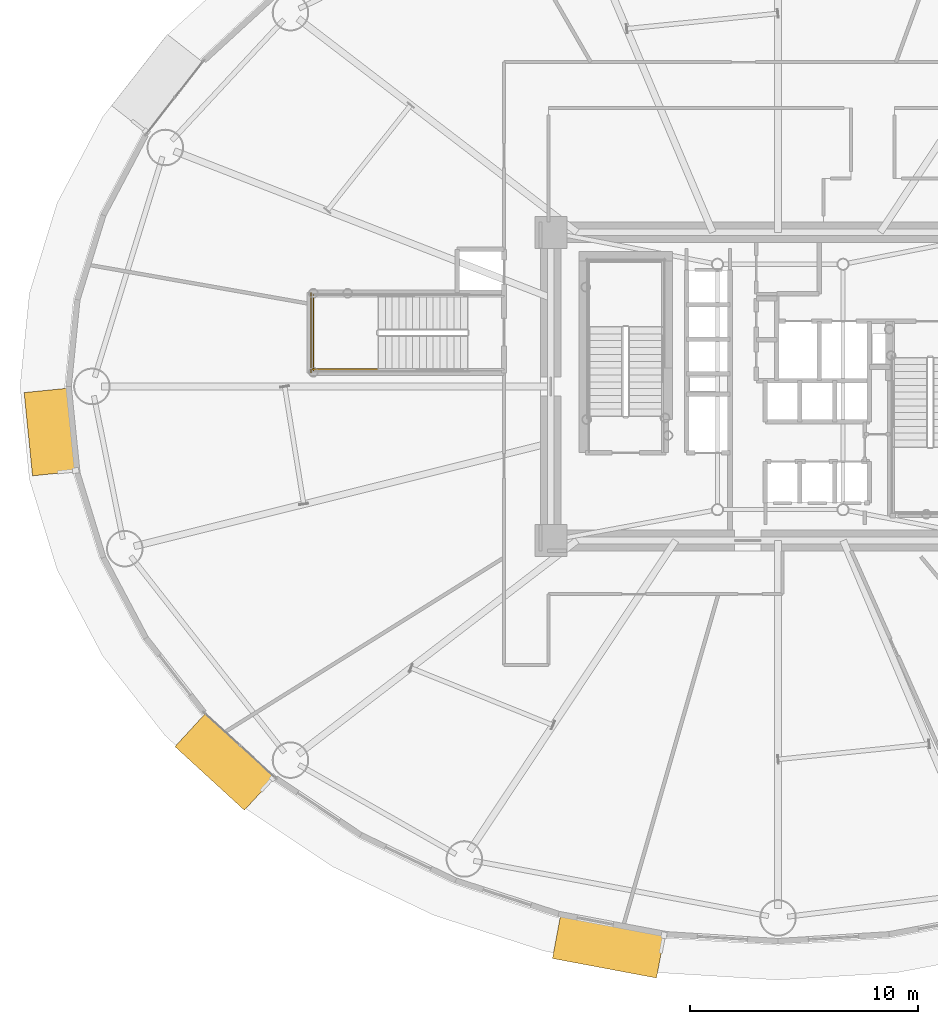
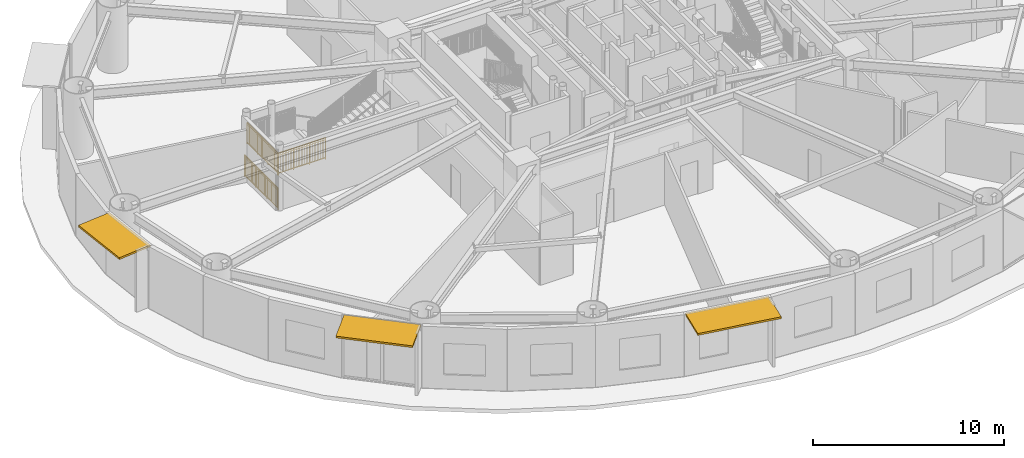
# One storey, part 24 of 35: 3 railings, 3 shading devices.
"""IFC4 building model written with IfcOpenShell, lengths in metres."""

from ifc_helpers import new_model, si_unit, direction, frame, origin, origin_2d, place, context, subcontext, project, spatial, rectangle, extrude, source, transform, mapped, material, layer, layer_set, type_object, element, save


model = new_model("IFC4")

# Units and contexts
model_context = context("Model", 3, precision=1e-05, world=origin(), true_north=direction((0.0, 1.0)))
body_context = subcontext(model_context, "Body", "Model", "MODEL_VIEW")
ifc_project = project(units=[si_unit("LENGTHUNIT", "METRE"), si_unit("AREAUNIT", "SQUARE_METRE"), si_unit("VOLUMEUNIT", "CUBIC_METRE"), si_unit("PLANEANGLEUNIT", "RADIAN"), si_unit("MASSUNIT", "GRAM", prefix="KILO")], contexts=[model_context])

# Site, building, storey
site_placement = place(None, origin())
site = spatial("IfcSite", under=ifc_project, at=site_placement, CompositionType="ELEMENT")
building_placement = place(site_placement, origin())
building = spatial("IfcBuilding", under=site, at=building_placement, Name="Linh Dai School and Residence Tower", CompositionType="ELEMENT")
storey_placement = place(building_placement, frame((0.0, 0.0, 32.39990234375)))
storey = spatial("IfcBuildingStorey", under=building, at=storey_placement, Name="L07", CompositionType="ELEMENT", Elevation=32.39990234375)

# Shading devices
ifc_material_1 = material(Name="Terracotta Ceramic Sunshade", Category="masonry")
ifc_layer = layer(ifc_material_1, 0.1201171875)
ifc_layer_set = layer_set([ifc_layer], Name="Terracotta Ceramic Sunshade")
shading_device_type = type_object("IfcShadingDeviceType", Name="SHD-TC-2000", PredefinedType="USERDEFINED", material=ifc_layer_set)
shared_shape_1 = source(origin(), body_context, "Body", "SweptSolid", [
    extrude(rectangle(XDim=3.663330078125, YDim=2.0, at=origin_2d()), origin(), (0.0, 0.0, 1.0), 0.1201171875),
])
shading_device_1_placement = place(storey_placement, frame((4.16064453125, 25.005615234375, 3.81005859375), z_axis=(0.0, 0.0, 1.0), x_axis=(-0.100009387998, 0.994986493533, 0.0)))
element("IfcShadingDevice", 1, at=shading_device_1_placement, inside=storey, type_object=shading_device_type, Name="L07 Terracotta Horizontal Sunshade Band 21", ObjectType="SUNSHADE", PredefinedType="USERDEFINED", context=body_context, shape_type="MappedRepresentation", body=[
    mapped(shared_shape_1, transform((0.0, 0.0, 0.0), x_axis=(1.0, 0.0, 0.0), y_axis=(0.0, 1.0, 0.0), z_axis=(0.0, 0.0, 1.0), scale=1.0)),
])
shared_shape_2 = source(origin(), body_context, "Body", "SweptSolid", [
    extrude(rectangle(XDim=4.1220703125, YDim=2.0, at=origin_2d()), origin(), (0.0, 0.0, 1.0), 0.1201171875),
])
shading_device_2_placement = place(storey_placement, frame((11.7841796875, 10.56689453125, 3.81005859375), z_axis=(0.0, 0.0, 1.0), x_axis=(-0.737113246362, 0.675769237268, 0.0)))
element("IfcShadingDevice", 2, at=shading_device_2_placement, inside=storey, type_object=shading_device_type, Name="L07 Terracotta Horizontal Sunshade Band 25", ObjectType="SUNSHADE", PredefinedType="USERDEFINED", context=body_context, shape_type="MappedRepresentation", body=[
    mapped(shared_shape_2, transform((0.0, 0.0, 0.0), x_axis=(1.0, 0.0, 0.0), y_axis=(0.0, 1.0, 0.0), z_axis=(0.0, 0.0, 1.0), scale=1.0)),
])
shared_shape_3 = source(origin(), body_context, "Body", "SweptSolid", [
    extrude(rectangle(XDim=4.635009765625, YDim=2.0, at=origin_2d()), origin(), (0.0, 0.0, 1.0), 0.1201171875),
])
shading_device_3_placement = place(storey_placement, frame((28.584716796875, 2.497314453125, 3.81005859375), z_axis=(0.0, 0.0, 1.0), x_axis=(-0.982785935675, 0.184747948944, 0.0)))
element("IfcShadingDevice", 3, at=shading_device_3_placement, inside=storey, type_object=shading_device_type, Name="L07 Terracotta Horizontal Sunshade Band 29", ObjectType="SUNSHADE", PredefinedType="USERDEFINED", context=body_context, shape_type="MappedRepresentation", body=[
    mapped(shared_shape_3, transform((0.0, 0.0, 0.0), x_axis=(1.0, 0.0, 0.0), y_axis=(0.0, 1.0, 0.0), z_axis=(0.0, 0.0, 1.0), scale=1.0)),
])

# Railings
ifc_material_2 = material(Name="Structural Steel S355JR", Category="steel")
railing_type = type_object("IfcRailingType", Name="RL-ST-GUARD-1400", PredefinedType="GUARDRAIL", material=ifc_material_2)
shared_shape_4 = source(origin(), body_context, "Body", "SweptSolid", [
    extrude(rectangle(XDim=0.048095703125, YDim=0.048095703125, at=origin_2d()), frame((0.0, 0.0, 1.3759765625), z_axis=(0.0, -1.0, 0.0), x_axis=(1.0, 0.0, 0.0)), (0.0, 0.0, 1.0), 3.300048828125),
    extrude(rectangle(XDim=0.048095703125, YDim=0.048095703125, at=origin_2d()), frame((0.0, 0.0, 0.10009765625), z_axis=(0.0, -1.0, 0.0), x_axis=(1.0, 0.0, 0.0)), (0.0, 0.0, 1.0), 3.300048828125),
    extrude(rectangle(XDim=0.030029296875, YDim=0.030029296875, at=origin_2d()), frame((0.0, 0.0, 1.239990234375), z_axis=(0.0, -1.0, 0.0), x_axis=(1.0, 0.0, 0.0)), (0.0, 0.0, 1.0), 3.300048828125),
    extrude(rectangle(XDim=0.02001953125, YDim=0.02001953125, at=origin_2d()), frame((0.0, -0.09716796875, 0.10009765625)), (0.0, 0.0, 1.0), 1.251708984375),
    extrude(rectangle(XDim=0.02001953125, YDim=0.02001953125, at=origin_2d()), frame((0.0, -0.194091796875, 0.10009765625)), (0.0, 0.0, 1.0), 1.251708984375),
    extrude(rectangle(XDim=0.02001953125, YDim=0.02001953125, at=origin_2d()), frame((0.0, -0.291259765625, 0.10009765625)), (0.0, 0.0, 1.0), 1.251708984375),
    extrude(rectangle(XDim=0.02001953125, YDim=0.02001953125, at=origin_2d()), frame((0.0, -0.38818359375, 0.10009765625)), (0.0, 0.0, 1.0), 1.251708984375),
    extrude(rectangle(XDim=0.02001953125, YDim=0.02001953125, at=origin_2d()), frame((0.0, -0.4853515625, 0.10009765625)), (0.0, 0.0, 1.0), 1.251708984375),
    extrude(rectangle(XDim=0.02001953125, YDim=0.02001953125, at=origin_2d()), frame((0.0, -0.582275390625, 0.10009765625)), (0.0, 0.0, 1.0), 1.251708984375),
    extrude(rectangle(XDim=0.02001953125, YDim=0.02001953125, at=origin_2d()), frame((0.0, -0.679443359375, 0.10009765625)), (0.0, 0.0, 1.0), 1.251708984375),
    extrude(rectangle(XDim=0.02001953125, YDim=0.02001953125, at=origin_2d()), frame((0.0, -0.7763671875, 0.10009765625)), (0.0, 0.0, 1.0), 1.251708984375),
    extrude(rectangle(XDim=0.02001953125, YDim=0.02001953125, at=origin_2d()), frame((0.0, -0.87353515625, 0.10009765625)), (0.0, 0.0, 1.0), 1.251708984375),
    extrude(rectangle(XDim=0.02001953125, YDim=0.02001953125, at=origin_2d()), frame((0.0, -0.970703125, 0.10009765625)), (0.0, 0.0, 1.0), 1.251708984375),
    extrude(rectangle(XDim=0.02001953125, YDim=0.02001953125, at=origin_2d()), frame((0.0, -1.164794921875, 0.10009765625)), (0.0, 0.0, 1.0), 1.251708984375),
    extrude(rectangle(XDim=0.02001953125, YDim=0.02001953125, at=origin_2d()), frame((0.0, -1.26171875, 0.10009765625)), (0.0, 0.0, 1.0), 1.251708984375),
    extrude(rectangle(XDim=0.02001953125, YDim=0.02001953125, at=origin_2d()), frame((0.0, -1.35888671875, 0.10009765625)), (0.0, 0.0, 1.0), 1.251708984375),
    extrude(rectangle(XDim=0.02001953125, YDim=0.02001953125, at=origin_2d()), frame((0.0, -1.455810546875, 0.10009765625)), (0.0, 0.0, 1.0), 1.251708984375),
    extrude(rectangle(XDim=0.02001953125, YDim=0.02001953125, at=origin_2d()), frame((0.0, -1.552978515625, 0.10009765625)), (0.0, 0.0, 1.0), 1.251708984375),
    extrude(rectangle(XDim=0.02001953125, YDim=0.02001953125, at=origin_2d()), frame((0.0, -1.64990234375, 0.10009765625)), (0.0, 0.0, 1.0), 1.251708984375),
    extrude(rectangle(XDim=0.02001953125, YDim=0.02001953125, at=origin_2d()), frame((0.0, -1.7470703125, 0.10009765625)), (0.0, 0.0, 1.0), 1.251708984375),
    extrude(rectangle(XDim=0.02001953125, YDim=0.02001953125, at=origin_2d()), frame((0.0, -1.84423828125, 0.10009765625)), (0.0, 0.0, 1.0), 1.251708984375),
    extrude(rectangle(XDim=0.02001953125, YDim=0.02001953125, at=origin_2d()), frame((0.0, -1.941162109375, 0.10009765625)), (0.0, 0.0, 1.0), 1.251708984375),
    extrude(rectangle(XDim=0.02001953125, YDim=0.02001953125, at=origin_2d()), frame((0.0, -2.038330078125, 0.10009765625)), (0.0, 0.0, 1.0), 1.251708984375),
    extrude(rectangle(XDim=0.02001953125, YDim=0.02001953125, at=origin_2d()), frame((0.0, -2.13525390625, 0.10009765625)), (0.0, 0.0, 1.0), 1.251708984375),
    extrude(rectangle(XDim=0.02001953125, YDim=0.02001953125, at=origin_2d()), frame((0.0, -2.329345703125, 0.10009765625)), (0.0, 0.0, 1.0), 1.251708984375),
    extrude(rectangle(XDim=0.02001953125, YDim=0.02001953125, at=origin_2d()), frame((0.0, -2.426513671875, 0.10009765625)), (0.0, 0.0, 1.0), 1.251708984375),
    extrude(rectangle(XDim=0.02001953125, YDim=0.02001953125, at=origin_2d()), frame((0.0, -2.523681640625, 0.10009765625)), (0.0, 0.0, 1.0), 1.251708984375),
    extrude(rectangle(XDim=0.02001953125, YDim=0.02001953125, at=origin_2d()), frame((0.0, -2.62060546875, 0.10009765625)), (0.0, 0.0, 1.0), 1.251708984375),
    extrude(rectangle(XDim=0.02001953125, YDim=0.02001953125, at=origin_2d()), frame((0.0, -2.7177734375, 0.10009765625)), (0.0, 0.0, 1.0), 1.251708984375),
    extrude(rectangle(XDim=0.02001953125, YDim=0.02001953125, at=origin_2d()), frame((0.0, -2.814697265625, 0.10009765625)), (0.0, 0.0, 1.0), 1.251708984375),
    extrude(rectangle(XDim=0.02001953125, YDim=0.02001953125, at=origin_2d()), frame((0.0, -2.911865234375, 0.10009765625)), (0.0, 0.0, 1.0), 1.251708984375),
    extrude(rectangle(XDim=0.02001953125, YDim=0.02001953125, at=origin_2d()), frame((0.0, -3.0087890625, 0.10009765625)), (0.0, 0.0, 1.0), 1.251708984375),
    extrude(rectangle(XDim=0.02001953125, YDim=0.02001953125, at=origin_2d()), frame((0.0, -3.10595703125, 0.10009765625)), (0.0, 0.0, 1.0), 1.251708984375),
    extrude(rectangle(XDim=0.02001953125, YDim=0.02001953125, at=origin_2d()), frame((0.0, -3.202880859375, 0.10009765625)), (0.0, 0.0, 1.0), 1.251708984375),
    extrude(rectangle(XDim=0.0419921875, YDim=0.0419921875, at=origin_2d()), origin(), (0.0, 0.0, 1.0), 1.3759765625),
    extrude(rectangle(XDim=0.0419921875, YDim=0.0419921875, at=origin_2d()), frame((0.0, -1.10009765625, 0.0)), (0.0, 0.0, 1.0), 1.3759765625),
    extrude(rectangle(XDim=0.0419921875, YDim=0.0419921875, at=origin_2d()), frame((0.0, -2.199951171875, 0.0)), (0.0, 0.0, 1.0), 1.3759765625),
    extrude(rectangle(XDim=0.0419921875, YDim=0.0419921875, at=origin_2d()), frame((0.0, -3.300048828125, 0.0)), (0.0, 0.0, 1.0), 1.3759765625),
])
railing_1_placement = place(storey_placement, frame((15.64990234375, 31.0, 2.10009765625)))
element("IfcRailing", 4, at=railing_1_placement, inside=storey, type_object=railing_type, Name="L07 STS1 stair guard 5", PredefinedType="GUARDRAIL", context=body_context, shape_type="MappedRepresentation", body=[
    mapped(shared_shape_4, transform((0.0, 0.0, 0.0), x_axis=(1.0, 0.0, 0.0), y_axis=(0.0, 1.0, 0.0), z_axis=(0.0, 0.0, 1.0), scale=1.0)),
])
shared_shape_5 = source(origin(), body_context, "Body", "SweptSolid", [
    extrude(rectangle(XDim=0.048095703125, YDim=0.048095703125, at=origin_2d()), frame((0.0, 0.0, 1.3759765625), z_axis=(-1.0, 0.0, 0.0), x_axis=(0.0, -1.0, 0.0)), (0.0, 0.0, 1.0), 2.89990234375),
    extrude(rectangle(XDim=0.048095703125, YDim=0.048095703125, at=origin_2d()), frame((0.0, 0.0, 0.10009765625), z_axis=(-1.0, 0.0, 0.0), x_axis=(0.0, -1.0, 0.0)), (0.0, 0.0, 1.0), 2.89990234375),
    extrude(rectangle(XDim=0.030029296875, YDim=0.030029296875, at=origin_2d()), frame((0.0, 0.0, 1.239990234375), z_axis=(-1.0, 0.0, 0.0), x_axis=(0.0, -1.0, 0.0)), (0.0, 0.0, 1.0), 2.89990234375),
    extrude(rectangle(XDim=0.02001953125, YDim=0.02001953125, at=origin_2d()), frame((-0.0966796875, 0.0, 0.10009765625)), (0.0, 0.0, 1.0), 1.251708984375),
    extrude(rectangle(XDim=0.02001953125, YDim=0.02001953125, at=origin_2d()), frame((-0.193359375, 0.0, 0.10009765625)), (0.0, 0.0, 1.0), 1.251708984375),
    extrude(rectangle(XDim=0.02001953125, YDim=0.02001953125, at=origin_2d()), frame((-0.2900390625, 0.0, 0.10009765625)), (0.0, 0.0, 1.0), 1.251708984375),
    extrude(rectangle(XDim=0.02001953125, YDim=0.02001953125, at=origin_2d()), frame((-0.38671875, 0.0, 0.10009765625)), (0.0, 0.0, 1.0), 1.251708984375),
    extrude(rectangle(XDim=0.02001953125, YDim=0.02001953125, at=origin_2d()), frame((-0.4833984375, 0.0, 0.10009765625)), (0.0, 0.0, 1.0), 1.251708984375),
    extrude(rectangle(XDim=0.02001953125, YDim=0.02001953125, at=origin_2d()), frame((-0.580078125, 0.0, 0.10009765625)), (0.0, 0.0, 1.0), 1.251708984375),
    extrude(rectangle(XDim=0.02001953125, YDim=0.02001953125, at=origin_2d()), frame((-0.6767578125, 0.0, 0.10009765625)), (0.0, 0.0, 1.0), 1.251708984375),
    extrude(rectangle(XDim=0.02001953125, YDim=0.02001953125, at=origin_2d()), frame((-0.773193359375, 0.0, 0.10009765625)), (0.0, 0.0, 1.0), 1.251708984375),
    extrude(rectangle(XDim=0.02001953125, YDim=0.02001953125, at=origin_2d()), frame((-0.869873046875, 0.0, 0.10009765625)), (0.0, 0.0, 1.0), 1.251708984375),
    extrude(rectangle(XDim=0.02001953125, YDim=0.02001953125, at=origin_2d()), frame((-1.063232421875, 0.0, 0.10009765625)), (0.0, 0.0, 1.0), 1.251708984375),
    extrude(rectangle(XDim=0.02001953125, YDim=0.02001953125, at=origin_2d()), frame((-1.159912109375, 0.0, 0.10009765625)), (0.0, 0.0, 1.0), 1.251708984375),
    extrude(rectangle(XDim=0.02001953125, YDim=0.02001953125, at=origin_2d()), frame((-1.256591796875, 0.0, 0.10009765625)), (0.0, 0.0, 1.0), 1.251708984375),
    extrude(rectangle(XDim=0.02001953125, YDim=0.02001953125, at=origin_2d()), frame((-1.353271484375, 0.0, 0.10009765625)), (0.0, 0.0, 1.0), 1.251708984375),
    extrude(rectangle(XDim=0.02001953125, YDim=0.02001953125, at=origin_2d()), frame((-1.449951171875, 0.0, 0.10009765625)), (0.0, 0.0, 1.0), 1.251708984375),
    extrude(rectangle(XDim=0.02001953125, YDim=0.02001953125, at=origin_2d()), frame((-1.546630859375, 0.0, 0.10009765625)), (0.0, 0.0, 1.0), 1.251708984375),
    extrude(rectangle(XDim=0.02001953125, YDim=0.02001953125, at=origin_2d()), frame((-1.643310546875, 0.0, 0.10009765625)), (0.0, 0.0, 1.0), 1.251708984375),
    extrude(rectangle(XDim=0.02001953125, YDim=0.02001953125, at=origin_2d()), frame((-1.739990234375, 0.0, 0.10009765625)), (0.0, 0.0, 1.0), 1.251708984375),
    extrude(rectangle(XDim=0.02001953125, YDim=0.02001953125, at=origin_2d()), frame((-1.836669921875, 0.0, 0.10009765625)), (0.0, 0.0, 1.0), 1.251708984375),
    extrude(rectangle(XDim=0.02001953125, YDim=0.02001953125, at=origin_2d()), frame((-2.030029296875, 0.0, 0.10009765625)), (0.0, 0.0, 1.0), 1.251708984375),
    extrude(rectangle(XDim=0.02001953125, YDim=0.02001953125, at=origin_2d()), frame((-2.126708984375, 0.0, 0.10009765625)), (0.0, 0.0, 1.0), 1.251708984375),
    extrude(rectangle(XDim=0.02001953125, YDim=0.02001953125, at=origin_2d()), frame((-2.22314453125, 0.0, 0.10009765625)), (0.0, 0.0, 1.0), 1.251708984375),
    extrude(rectangle(XDim=0.02001953125, YDim=0.02001953125, at=origin_2d()), frame((-2.31982421875, 0.0, 0.10009765625)), (0.0, 0.0, 1.0), 1.251708984375),
    extrude(rectangle(XDim=0.02001953125, YDim=0.02001953125, at=origin_2d()), frame((-2.41650390625, 0.0, 0.10009765625)), (0.0, 0.0, 1.0), 1.251708984375),
    extrude(rectangle(XDim=0.02001953125, YDim=0.02001953125, at=origin_2d()), frame((-2.51318359375, 0.0, 0.10009765625)), (0.0, 0.0, 1.0), 1.251708984375),
    extrude(rectangle(XDim=0.02001953125, YDim=0.02001953125, at=origin_2d()), frame((-2.60986328125, 0.0, 0.10009765625)), (0.0, 0.0, 1.0), 1.251708984375),
    extrude(rectangle(XDim=0.02001953125, YDim=0.02001953125, at=origin_2d()), frame((-2.70654296875, 0.0, 0.10009765625)), (0.0, 0.0, 1.0), 1.251708984375),
    extrude(rectangle(XDim=0.02001953125, YDim=0.02001953125, at=origin_2d()), frame((-2.80322265625, 0.0, 0.10009765625)), (0.0, 0.0, 1.0), 1.251708984375),
    extrude(rectangle(XDim=0.0419921875, YDim=0.0419921875, at=origin_2d()), origin(), (0.0, 0.0, 1.0), 1.3759765625),
    extrude(rectangle(XDim=0.0419921875, YDim=0.0419921875, at=origin_2d()), frame((-0.966552734375, 0.0, 0.0)), (0.0, 0.0, 1.0), 1.3759765625),
    extrude(rectangle(XDim=0.0419921875, YDim=0.0419921875, at=origin_2d()), frame((-1.933349609375, 0.0, 0.0)), (0.0, 0.0, 1.0), 1.3759765625),
    extrude(rectangle(XDim=0.0419921875, YDim=0.0419921875, at=origin_2d()), frame((-2.89990234375, 0.0, 0.0)), (0.0, 0.0, 1.0), 1.3759765625),
])
railing_2_placement = place(storey_placement, frame((18.5, 27.75, 2.10009765625)))
element("IfcRailing", 5, at=railing_2_placement, inside=storey, type_object=railing_type, Name="L07 STS1 stair guard 4", PredefinedType="GUARDRAIL", context=body_context, shape_type="MappedRepresentation", body=[
    mapped(shared_shape_5, transform((0.0, 0.0, 0.0), x_axis=(1.0, 0.0, 0.0), y_axis=(0.0, 1.0, 0.0), z_axis=(0.0, 0.0, 1.0), scale=1.0)),
])
shared_shape_6 = source(origin(), body_context, "Body", "SweptSolid", [
    extrude(rectangle(XDim=0.048095703125, YDim=0.048095703125, at=origin_2d()), frame((0.0, 0.0, 1.3759765625), z_axis=(0.0, -1.0, 0.0), x_axis=(1.0, 0.0, 0.0)), (0.0, 0.0, 1.0), 3.5),
    extrude(rectangle(XDim=0.048095703125, YDim=0.048095703125, at=origin_2d()), frame((0.0, 0.0, 0.10009765625), z_axis=(0.0, -1.0, 0.0), x_axis=(1.0, 0.0, 0.0)), (0.0, 0.0, 1.0), 3.5),
    extrude(rectangle(XDim=0.030029296875, YDim=0.030029296875, at=origin_2d()), frame((0.0, 0.0, 1.239990234375), z_axis=(0.0, -1.0, 0.0), x_axis=(1.0, 0.0, 0.0)), (0.0, 0.0, 1.0), 3.5),
    extrude(rectangle(XDim=0.02001953125, YDim=0.02001953125, at=origin_2d()), frame((0.0, -0.09716796875, 0.10009765625)), (0.0, 0.0, 1.0), 1.251708984375),
    extrude(rectangle(XDim=0.02001953125, YDim=0.02001953125, at=origin_2d()), frame((0.0, -0.1943359375, 0.10009765625)), (0.0, 0.0, 1.0), 1.251708984375),
    extrude(rectangle(XDim=0.02001953125, YDim=0.02001953125, at=origin_2d()), frame((0.0, -0.291748046875, 0.10009765625)), (0.0, 0.0, 1.0), 1.251708984375),
    extrude(rectangle(XDim=0.02001953125, YDim=0.02001953125, at=origin_2d()), frame((0.0, -0.388916015625, 0.10009765625)), (0.0, 0.0, 1.0), 1.251708984375),
    extrude(rectangle(XDim=0.02001953125, YDim=0.02001953125, at=origin_2d()), frame((0.0, -0.486083984375, 0.10009765625)), (0.0, 0.0, 1.0), 1.251708984375),
    extrude(rectangle(XDim=0.02001953125, YDim=0.02001953125, at=origin_2d()), frame((0.0, -0.583251953125, 0.10009765625)), (0.0, 0.0, 1.0), 1.251708984375),
    extrude(rectangle(XDim=0.02001953125, YDim=0.02001953125, at=origin_2d()), frame((0.0, -0.6806640625, 0.10009765625)), (0.0, 0.0, 1.0), 1.251708984375),
    extrude(rectangle(XDim=0.02001953125, YDim=0.02001953125, at=origin_2d()), frame((0.0, -0.77783203125, 0.10009765625)), (0.0, 0.0, 1.0), 1.251708984375),
    extrude(rectangle(XDim=0.02001953125, YDim=0.02001953125, at=origin_2d()), frame((0.0, -0.875, 0.10009765625)), (0.0, 0.0, 1.0), 1.251708984375),
    extrude(rectangle(XDim=0.02001953125, YDim=0.02001953125, at=origin_2d()), frame((0.0, -0.97216796875, 0.10009765625)), (0.0, 0.0, 1.0), 1.251708984375),
    extrude(rectangle(XDim=0.02001953125, YDim=0.02001953125, at=origin_2d()), frame((0.0, -1.0693359375, 0.10009765625)), (0.0, 0.0, 1.0), 1.251708984375),
    extrude(rectangle(XDim=0.02001953125, YDim=0.02001953125, at=origin_2d()), frame((0.0, -1.263916015625, 0.10009765625)), (0.0, 0.0, 1.0), 1.251708984375),
    extrude(rectangle(XDim=0.02001953125, YDim=0.02001953125, at=origin_2d()), frame((0.0, -1.361083984375, 0.10009765625)), (0.0, 0.0, 1.0), 1.251708984375),
    extrude(rectangle(XDim=0.02001953125, YDim=0.02001953125, at=origin_2d()), frame((0.0, -1.458251953125, 0.10009765625)), (0.0, 0.0, 1.0), 1.251708984375),
    extrude(rectangle(XDim=0.02001953125, YDim=0.02001953125, at=origin_2d()), frame((0.0, -1.5556640625, 0.10009765625)), (0.0, 0.0, 1.0), 1.251708984375),
    extrude(rectangle(XDim=0.02001953125, YDim=0.02001953125, at=origin_2d()), frame((0.0, -1.65283203125, 0.10009765625)), (0.0, 0.0, 1.0), 1.251708984375),
    extrude(rectangle(XDim=0.02001953125, YDim=0.02001953125, at=origin_2d()), frame((0.0, -1.75, 0.10009765625)), (0.0, 0.0, 1.0), 1.251708984375),
    extrude(rectangle(XDim=0.02001953125, YDim=0.02001953125, at=origin_2d()), frame((0.0, -1.84716796875, 0.10009765625)), (0.0, 0.0, 1.0), 1.251708984375),
    extrude(rectangle(XDim=0.02001953125, YDim=0.02001953125, at=origin_2d()), frame((0.0, -1.9443359375, 0.10009765625)), (0.0, 0.0, 1.0), 1.251708984375),
    extrude(rectangle(XDim=0.02001953125, YDim=0.02001953125, at=origin_2d()), frame((0.0, -2.041748046875, 0.10009765625)), (0.0, 0.0, 1.0), 1.251708984375),
    extrude(rectangle(XDim=0.02001953125, YDim=0.02001953125, at=origin_2d()), frame((0.0, -2.138916015625, 0.10009765625)), (0.0, 0.0, 1.0), 1.251708984375),
    extrude(rectangle(XDim=0.02001953125, YDim=0.02001953125, at=origin_2d()), frame((0.0, -2.236083984375, 0.10009765625)), (0.0, 0.0, 1.0), 1.251708984375),
    extrude(rectangle(XDim=0.02001953125, YDim=0.02001953125, at=origin_2d()), frame((0.0, -2.4306640625, 0.10009765625)), (0.0, 0.0, 1.0), 1.251708984375),
    extrude(rectangle(XDim=0.02001953125, YDim=0.02001953125, at=origin_2d()), frame((0.0, -2.52783203125, 0.10009765625)), (0.0, 0.0, 1.0), 1.251708984375),
    extrude(rectangle(XDim=0.02001953125, YDim=0.02001953125, at=origin_2d()), frame((0.0, -2.625, 0.10009765625)), (0.0, 0.0, 1.0), 1.251708984375),
    extrude(rectangle(XDim=0.02001953125, YDim=0.02001953125, at=origin_2d()), frame((0.0, -2.72216796875, 0.10009765625)), (0.0, 0.0, 1.0), 1.251708984375),
    extrude(rectangle(XDim=0.02001953125, YDim=0.02001953125, at=origin_2d()), frame((0.0, -2.8193359375, 0.10009765625)), (0.0, 0.0, 1.0), 1.251708984375),
    extrude(rectangle(XDim=0.02001953125, YDim=0.02001953125, at=origin_2d()), frame((0.0, -2.916748046875, 0.10009765625)), (0.0, 0.0, 1.0), 1.251708984375),
    extrude(rectangle(XDim=0.02001953125, YDim=0.02001953125, at=origin_2d()), frame((0.0, -3.013916015625, 0.10009765625)), (0.0, 0.0, 1.0), 1.251708984375),
    extrude(rectangle(XDim=0.02001953125, YDim=0.02001953125, at=origin_2d()), frame((0.0, -3.111083984375, 0.10009765625)), (0.0, 0.0, 1.0), 1.251708984375),
    extrude(rectangle(XDim=0.02001953125, YDim=0.02001953125, at=origin_2d()), frame((0.0, -3.208251953125, 0.10009765625)), (0.0, 0.0, 1.0), 1.251708984375),
    extrude(rectangle(XDim=0.02001953125, YDim=0.02001953125, at=origin_2d()), frame((0.0, -3.3056640625, 0.10009765625)), (0.0, 0.0, 1.0), 1.251708984375),
    extrude(rectangle(XDim=0.02001953125, YDim=0.02001953125, at=origin_2d()), frame((0.0, -3.40283203125, 0.10009765625)), (0.0, 0.0, 1.0), 1.251708984375),
    extrude(rectangle(XDim=0.0419921875, YDim=0.0419921875, at=origin_2d()), origin(), (0.0, 0.0, 1.0), 1.3759765625),
    extrude(rectangle(XDim=0.0419921875, YDim=0.0419921875, at=origin_2d()), frame((0.0, -1.166748046875, 0.0)), (0.0, 0.0, 1.0), 1.3759765625),
    extrude(rectangle(XDim=0.0419921875, YDim=0.0419921875, at=origin_2d()), frame((0.0, -2.333251953125, 0.0)), (0.0, 0.0, 1.0), 1.3759765625),
    extrude(rectangle(XDim=0.0419921875, YDim=0.0419921875, at=origin_2d()), frame((0.0, -3.5, 0.0)), (0.0, 0.0, 1.0), 1.3759765625),
])
railing_3_placement = place(storey_placement, frame((15.550048828125, 31.10009765625, 0.0)))
element("IfcRailing", 6, at=railing_3_placement, inside=storey, type_object=railing_type, Name="L07 STS1 stair guard 12", PredefinedType="GUARDRAIL", context=body_context, shape_type="MappedRepresentation", body=[
    mapped(shared_shape_6, transform((0.0, 0.0, 0.0), x_axis=(1.0, 0.0, 0.0), y_axis=(0.0, 1.0, 0.0), z_axis=(0.0, 0.0, 1.0), scale=1.0)),
])

save(model, "model.ifc")
